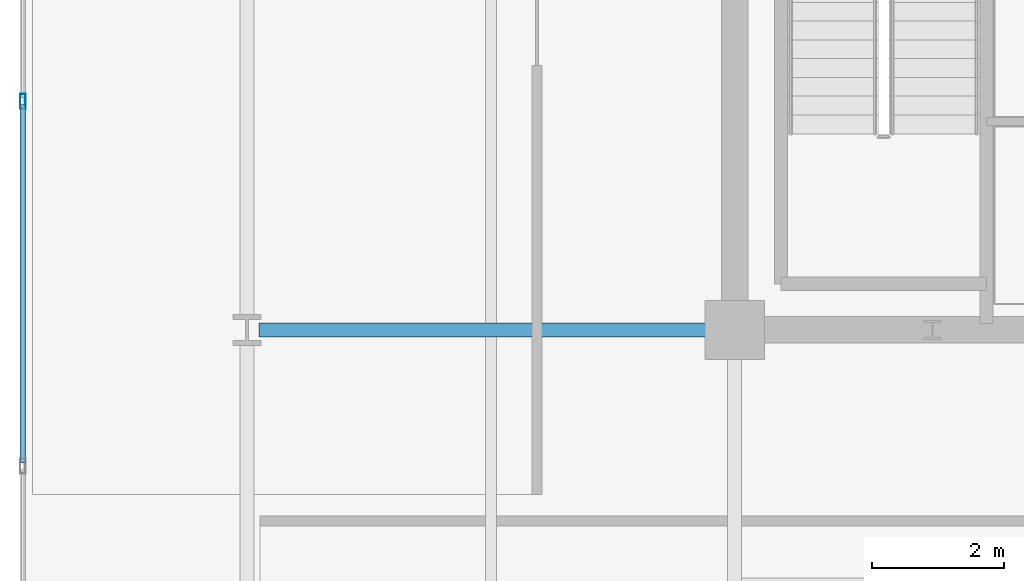
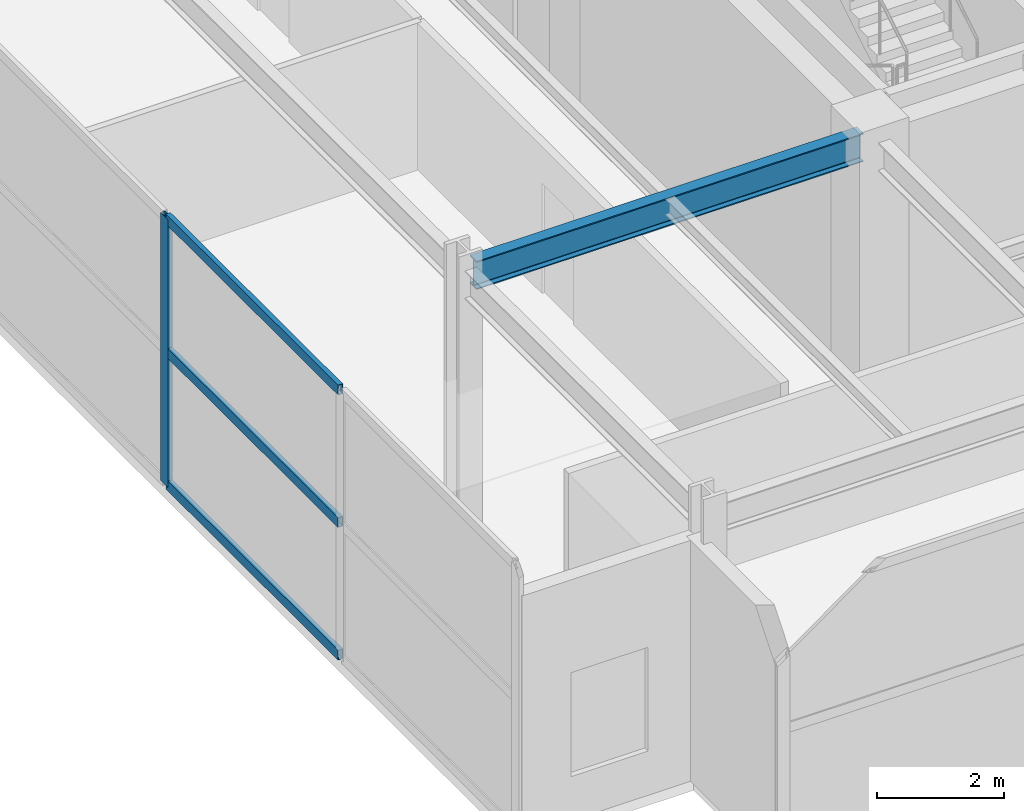
# One storey, part 3 of 24: 4 members, 1 beam, 1 element without a shape of its own.
"""IFC4 building model written with IfcOpenShell, lengths in metres."""

import ifcopenshell
import ifcopenshell.guid

model = None  # the IFC model being written
_history = None  # IfcOwnerHistory: only IFC2X3 demands one
_inside = {}  # id of a spatial element -> (the spatial element, [elements in it])
_under = {}  # id of a project, library or spatial element -> (it, [spatial elements below it])
_declared = {}  # id of a project -> (the project, [libraries it declares])
_typed = {}  # id of a type object -> (the type object, [elements of that type])
_made_of = {}  # id of a material, layer set ... -> (it, [elements and type objects made of it])


def new_model(schema):
    """Start an empty IFC model of exactly this schema.

    Asked for "IFC4X3", IfcOpenShell would pick the latest addendum, in which some entities
    have other attributes; the version numbers below select the first issue.
    IFC2X3 requires an IfcOwnerHistory on every rooted entity: one is made here for all.
    """
    global model, _history
    if schema == "IFC4X3":
        model = ifcopenshell.file(schema_version=(4, 3, 0, 0))
    else:
        model = ifcopenshell.file(schema=schema)
    _inside.clear()
    _under.clear()
    _declared.clear()
    _typed.clear()
    _made_of.clear()
    _history = None
    if model.schema == "IFC2X3":
        org = make("IfcOrganization", Name="unknown")
        user = make(
            "IfcPersonAndOrganization",
            ThePerson=make("IfcPerson", FamilyName="unknown"),
            TheOrganization=org,
        )
        app = make(
            "IfcApplication",
            ApplicationDeveloper=org,
            Version="unknown",
            ApplicationFullName="unknown",
            ApplicationIdentifier="unknown",
        )
        _history = make(
            "IfcOwnerHistory",
            OwningUser=user,
            OwningApplication=app,
            ChangeAction="ADDED",
            CreationDate=0,
        )
    return model


def make(cls, **values):
    """One entity of the class cls with the attributes given. An attribute that is None is left unset."""
    return model.create_entity(
        cls, **{name: value for name, value in values.items() if value is not None}
    )


def rooted(cls, **values):
    """An entity with a GlobalId (a new one), such as an element, a storey or a relation."""
    return make(cls, GlobalId=ifcopenshell.guid.new(), OwnerHistory=_history, **values)


def si_unit(unit_type, name, prefix=None):
    """IfcSIUnit, for example si_unit("LENGTHUNIT", "METRE", prefix="MILLI")."""
    return make("IfcSIUnit", UnitType=unit_type, Prefix=prefix, Name=name)


def assignment(units):
    """IfcUnitAssignment: the units of a project."""
    return None if units is None else make("IfcUnitAssignment", Units=units)


def point(xyz):
    """IfcCartesianPoint."""
    return None if xyz is None else make("IfcCartesianPoint", Coordinates=xyz)


def direction(xyz):
    """IfcDirection."""
    return None if xyz is None else make("IfcDirection", DirectionRatios=xyz)


def frame(location, z_axis=None, x_axis=None):
    """IfcAxis2Placement3D, a coordinate frame: its origin and axes. An axis left out is left unset."""
    return make(
        "IfcAxis2Placement3D",
        Location=point(location),
        Axis=direction(z_axis),
        RefDirection=direction(x_axis),
    )


def frame_2d(location, x_axis=None):
    """IfcAxis2Placement2D, a coordinate frame in the plane: its origin and x axis."""
    return make(
        "IfcAxis2Placement2D", Location=point(location), RefDirection=direction(x_axis)
    )


def origin():
    """The frame at (0, 0, 0) with its axes left unset."""
    return frame((0.0, 0.0, 0.0))


def origin_2d():
    """The frame at (0, 0) in the plane with its x axis left unset."""
    return frame_2d((0.0, 0.0))


def place(relative_to, where):
    """IfcLocalPlacement: puts the frame where relative to a parent placement (None: the world)."""
    return make(
        "IfcLocalPlacement", PlacementRelTo=relative_to, RelativePlacement=where
    )


def context(
    kind, dimensions, precision=None, world=None, true_north=None, identifier=None
):
    """IfcGeometricRepresentationContext, for example the 3D "Model" context."""
    return make(
        "IfcGeometricRepresentationContext",
        ContextIdentifier=identifier,
        ContextType=kind,
        CoordinateSpaceDimension=dimensions,
        Precision=precision,
        WorldCoordinateSystem=world,
        TrueNorth=true_north,
    )


def subcontext(parent, identifier, kind, view, scale=None):
    """IfcGeometricRepresentationSubContext, for example "Body" below "Model"."""
    return make(
        "IfcGeometricRepresentationSubContext",
        ContextIdentifier=identifier,
        ContextType=kind,
        ParentContext=parent,
        TargetScale=scale,
        TargetView=view,
    )


def project(units=None, contexts=None):
    """IfcProject with its units and contexts."""
    return rooted(
        "IfcProject",
        Name="project",
        RepresentationContexts=contexts,
        UnitsInContext=assignment(units),
    )


def spatial(cls, under=None, at=None, **own):
    """A site, building, storey or space (cls), placed at a placement, below another one or the project."""
    s = rooted(cls, ObjectPlacement=at, **own)
    if under is not None:
        _under.setdefault(under.id(), (under, []))[1].append(s)
    return s


def profile(cls, at=None, kind="AREA", **sizes):
    """A parametric profile (cls). Its sizes go by their IFC names, for example OverallWidth=200.0."""
    return make(cls, ProfileType=kind, Position=at, **sizes)


def hollow_rectangle(**sizes):
    """IfcRectangleHollowProfileDef."""
    return profile("IfcRectangleHollowProfileDef", **sizes)


def i_section(**sizes):
    """IfcIShapeProfileDef."""
    return profile("IfcIShapeProfileDef", **sizes)


def extrude(swept, where, along, depth):
    """IfcExtrudedAreaSolid: the profile swept, set in the frame where, extruded along a direction by depth."""
    return make(
        "IfcExtrudedAreaSolid",
        SweptArea=swept,
        Position=where,
        ExtrudedDirection=direction(along),
        Depth=depth,
    )


def shape(context_of_items, identifier, shape_type, items):
    """IfcShapeRepresentation: the items that make up one representation, for example the "Body"."""
    return make(
        "IfcShapeRepresentation",
        ContextOfItems=context_of_items,
        RepresentationIdentifier=identifier,
        RepresentationType=shape_type,
        Items=items,
    )


def material(Name=None, Category=None):
    """IfcMaterial."""
    return make("IfcMaterial", Name=Name, Category=Category)


def material_profile(
    of_material, cross_section, Name=None, Category=None, Priority=None
):
    """IfcMaterialProfile: a cross section and its material."""
    return make(
        "IfcMaterialProfile",
        Name=Name,
        Material=of_material,
        Profile=cross_section,
        Priority=Priority,
        Category=Category,
    )


def profile_set(profiles, Name=None, composite=None):
    """IfcMaterialProfileSet."""
    return make(
        "IfcMaterialProfileSet",
        Name=Name,
        MaterialProfiles=profiles,
        CompositeProfile=composite,
    )


def made_of(thing, what):
    """Note that an element or type object is made of a material, layer set ...; save() writes the relation."""
    if what is not None:
        _made_of.setdefault(what.id(), (what, []))[1].append(thing)
    return thing


def type_object(cls, material=None, **own):
    """A type object (cls), such as IfcWallType, which elements share."""
    return made_of(rooted(cls, **own), material)


def element(
    cls,
    number,
    at=None,
    inside=None,
    cuts=None,
    type_object=None,
    material=None,
    context=None,
    identifier="Body",
    shape_type=None,
    held_by="IfcProductDefinitionShape",
    body=None,
    shapes=None,
    **own,
):
    """One element of the class cls, such as IfcWall. Its Tag is "e" and its number.

    at: its placement. inside: the storey or other place that contains it. cuts: it is an
    opening in that element (IfcRelVoidsElement). A single representation is given by context,
    identifier, shape_type and body (its items); several are given by shapes. held_by: the class
    of the entity that holds the representations. save() writes the other relations.
    """
    e = rooted(cls, Tag="e%d" % number, ObjectPlacement=at, **own)
    if body is not None:
        shapes = [shape(context, identifier, shape_type, body)]
    if shapes is not None:
        e.Representation = make(held_by, Representations=shapes)
    if inside is not None:
        _inside.setdefault(inside.id(), (inside, []))[1].append(e)
    if cuts is not None:
        rooted(
            "IfcRelVoidsElement", RelatingBuildingElement=cuts, RelatedOpeningElement=e
        )
    if type_object is not None:
        _typed.setdefault(type_object.id(), (type_object, []))[1].append(e)
    return made_of(e, material)


def aggregate(whole, parts):
    """IfcRelAggregates: a whole, such as a stair, and the parts it consists of."""
    return rooted("IfcRelAggregates", RelatingObject=whole, RelatedObjects=parts)


def save(model, path):
    """Write the relations noted so far, then the file.

    IfcRelAggregates (storeys below a building ...), IfcRelContainedInSpatialStructure (elements
    in a storey), IfcRelDefinesByType, IfcRelAssociatesMaterial and IfcRelDeclares: one each for
    every whole, place, type object, material and project.
    """
    for whole, parts in _under.values():
        aggregate(whole, parts)
    for where, things in _inside.values():
        rooted(
            "IfcRelContainedInSpatialStructure",
            RelatedElements=things,
            RelatingStructure=where,
        )
    for kind, things in _typed.values():
        rooted("IfcRelDefinesByType", RelatedObjects=things, RelatingType=kind)
    for what, things in _made_of.values():
        rooted("IfcRelAssociatesMaterial", RelatedObjects=things, RelatingMaterial=what)
    for by, libraries in _declared.values():
        rooted("IfcRelDeclares", RelatingContext=by, RelatedDefinitions=libraries)
    model.write(path)


model = new_model("IFC4")

# Units and contexts
model_context = context("Model", 3, precision=1e-05, world=origin(), true_north=direction((0.0, 1.0)))
body_context = subcontext(model_context, "Body", "Model", "MODEL_VIEW")
ifc_project = project(units=[si_unit("LENGTHUNIT", "METRE"), si_unit("AREAUNIT", "SQUARE_METRE"), si_unit("VOLUMEUNIT", "CUBIC_METRE"), si_unit("PLANEANGLEUNIT", "RADIAN"), si_unit("MASSUNIT", "GRAM", prefix="KILO")], contexts=[model_context])

# Site, building, storey
site_placement = place(None, origin())
site = spatial("IfcSite", under=ifc_project, at=site_placement, CompositionType="ELEMENT")
building_placement = place(site_placement, origin())
building = spatial("IfcBuilding", under=site, at=building_placement, Name="Kovane Verandah Tower", CompositionType="ELEMENT")
storey_placement = place(building_placement, frame((0.0, 0.0, 348.800048828125)))
storey = spatial("IfcBuildingStorey", under=building, at=storey_placement, Name="L81", CompositionType="ELEMENT", Elevation=348.800048828125)

# Beam
ifc_material_1 = material(Name="Steel S355", Category="steel")
ifc_material_profile_1 = material_profile(ifc_material_1, i_section(OverallWidth=0.2119140625, OverallDepth=0.54443359375, WebThickness=0.0126953125, FlangeThickness=0.021240234375, FilletRadius=0.0126953125, at=origin_2d()), Name="UB533x210x122")
ifc_profile_set_1 = profile_set([ifc_material_profile_1], Name="Steel S355")
beam_type = type_object("IfcBeamType", Name="BM-UB533x122", PredefinedType="BEAM", material=ifc_profile_set_1)
beam_placement = place(storey_placement, frame((28.820068359375, 18.5, 4.927734375), z_axis=(-1.0, 0.0, 0.0), x_axis=(0.0, -1.0, 0.0)))
element("IfcBeam", 1, at=beam_placement, inside=storey, type_object=beam_type, Name="L81 Primary Tower Girder G-W1", PredefinedType="BEAM", context=body_context, shape_type="SweptSolid", body=[
    extrude(i_section(OverallWidth=0.2119140625, OverallDepth=0.54443359375, WebThickness=0.0126953125, FlangeThickness=0.021240234375, FilletRadius=0.0126953125, at=origin_2d()), origin(), (0.0, 0.0, 1.0), 7.0400390625),
])

# Curtain wall, members
ifc_material_2 = material(Name="Champagne Anodised Aluminium Frame with Low-E Clear Laminated Glass", Category="aluminium")
curtain_wall_type = type_object("IfcCurtainWallType", Name="CW-SYS-06-CROWN", PredefinedType="NOTDEFINED", material=ifc_material_2)
curtain_wall_placement = place(storey_placement, origin())
curtain_wall = element("IfcCurtainWall", 2, at=curtain_wall_placement, inside=storey, type_object=curtain_wall_type, Name="L81 W Unitised Curtain Wall", PredefinedType="NOTDEFINED")
ifc_material_3 = material(Name="Champagne Anodised Aluminium 6063-T6", Category="aluminium")
ifc_material_profile_2 = material_profile(ifc_material_3, hollow_rectangle(XDim=0.0849609375, YDim=0.22998046875, WallThickness=0.00390625, at=origin_2d()), Name="AL85x230x4")
ifc_profile_set_2 = profile_set([ifc_material_profile_2], Name="Champagne Anodised Aluminium 6063-T6")
member_type_1 = type_object("IfcMemberType", Name="CW-MUL-85x230", PredefinedType="MULLION", material=ifc_profile_set_2)
member_1_placement = place(storey_placement, frame((18.199951171875, 21.966796875, 0.02001953125), z_axis=(0.0, 0.0, 1.0), x_axis=(-1.0, 0.0, 0.0)))
member_1 = element("IfcMember", 3, at=member_1_placement, type_object=member_type_1, Name="L81 W Unitised Curtain Wall Mullion 5", PredefinedType="MULLION", context=body_context, shape_type="SweptSolid", body=[
    extrude(hollow_rectangle(XDim=0.0849609375, YDim=0.22998046875, WallThickness=0.00390625, at=origin_2d()), origin(), (0.0, 0.0, 1.0), 5.159912109375),
])
ifc_material_profile_3 = material_profile(ifc_material_3, hollow_rectangle(XDim=0.0849609375, YDim=0.18994140625, WallThickness=0.00390625, at=origin_2d()), Name="AL85x190x4")
ifc_profile_set_3 = profile_set([ifc_material_profile_3], Name="Champagne Anodised Aluminium 6063-T6")
member_type_2 = type_object("IfcMemberType", Name="CW-TRN-85x190", PredefinedType="USERDEFINED", material=ifc_profile_set_3)
member_2_placement = place(storey_placement, frame((18.199951171875, 21.916748046875, 0.050048828125), z_axis=(0.0, -1.0, 0.0), x_axis=(1.0, 0.0, 0.0)))
member_2 = element("IfcMember", 4, at=member_2_placement, type_object=member_type_2, Name="L81 W Unitised Curtain Wall Transom TB Bay 5", ObjectType="TRANSOM", PredefinedType="USERDEFINED", context=body_context, shape_type="SweptSolid", body=[
    extrude(hollow_rectangle(XDim=0.0849609375, YDim=0.18994140625, WallThickness=0.00390625, at=origin_2d()), origin(), (0.0, 0.0, 1.0), 5.433349609375),
])
member_3_placement = place(storey_placement, frame((18.199951171875, 21.916748046875, 2.599853515625), z_axis=(0.0, -1.0, 0.0), x_axis=(1.0, 0.0, 0.0)))
member_3 = element("IfcMember", 5, at=member_3_placement, type_object=member_type_2, Name="L81 W Unitised Curtain Wall Transom TM Bay 5", ObjectType="TRANSOM", PredefinedType="USERDEFINED", context=body_context, shape_type="SweptSolid", body=[
    extrude(hollow_rectangle(XDim=0.0849609375, YDim=0.18994140625, WallThickness=0.00390625, at=origin_2d()), origin(), (0.0, 0.0, 1.0), 5.433349609375),
])
member_4_placement = place(storey_placement, frame((18.199951171875, 21.916748046875, 5.14990234375), z_axis=(0.0, -1.0, 0.0), x_axis=(1.0, 0.0, 0.0)))
member_4 = element("IfcMember", 6, at=member_4_placement, type_object=member_type_2, Name="L81 W Unitised Curtain Wall Transom TT Bay 5", ObjectType="TRANSOM", PredefinedType="USERDEFINED", context=body_context, shape_type="SweptSolid", body=[
    extrude(hollow_rectangle(XDim=0.0849609375, YDim=0.18994140625, WallThickness=0.00390625, at=origin_2d()), origin(), (0.0, 0.0, 1.0), 5.433349609375),
])
aggregate(curtain_wall, [member_1, member_2, member_3, member_4])

save(model, "model.ifc")
